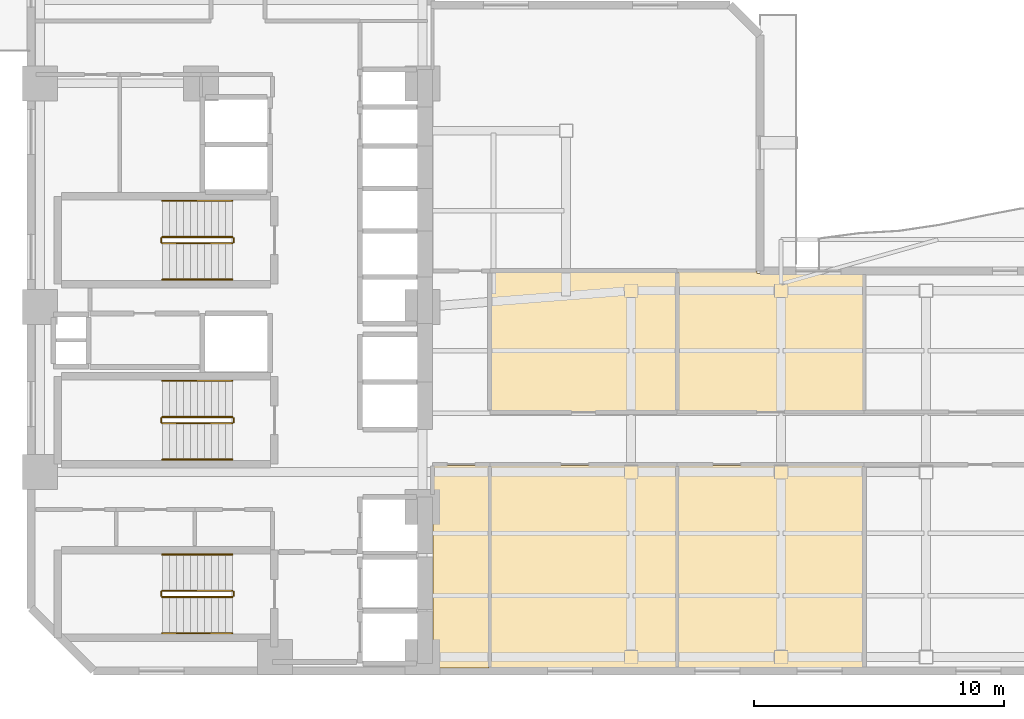
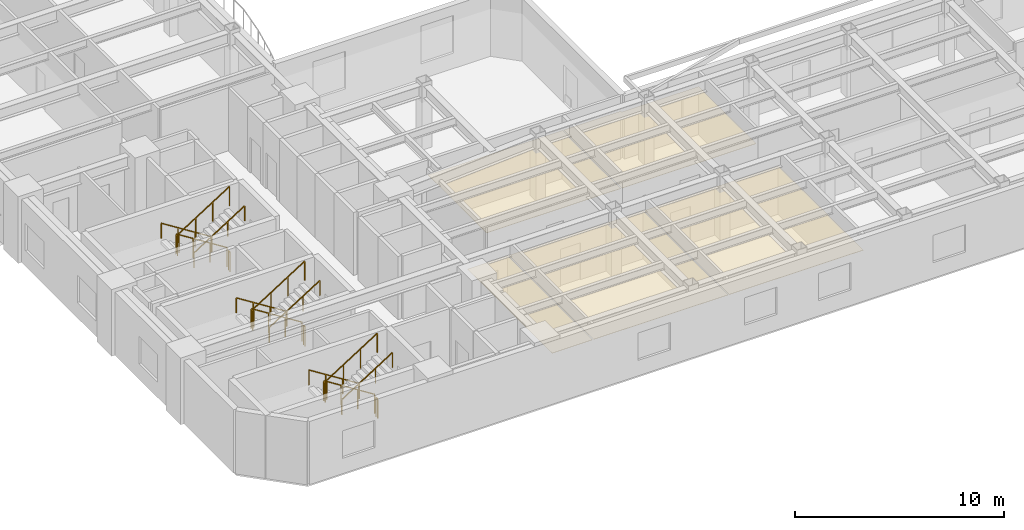
# One storey, part 8 of 10: 18 railings, 5 coverings.
"""IFC4 building model written with IfcOpenShell, lengths in metres."""

import ifcopenshell
import ifcopenshell.guid

model = None  # the IFC model being written
_history = None  # IfcOwnerHistory: only IFC2X3 demands one
_inside = {}  # id of a spatial element -> (the spatial element, [elements in it])
_under = {}  # id of a project, library or spatial element -> (it, [spatial elements below it])
_declared = {}  # id of a project -> (the project, [libraries it declares])
_typed = {}  # id of a type object -> (the type object, [elements of that type])
_made_of = {}  # id of a material, layer set ... -> (it, [elements and type objects made of it])


def new_model(schema):
    """Start an empty IFC model of exactly this schema.

    Asked for "IFC4X3", IfcOpenShell would pick the latest addendum, in which some entities
    have other attributes; the version numbers below select the first issue.
    IFC2X3 requires an IfcOwnerHistory on every rooted entity: one is made here for all.
    """
    global model, _history
    if schema == "IFC4X3":
        model = ifcopenshell.file(schema_version=(4, 3, 0, 0))
    else:
        model = ifcopenshell.file(schema=schema)
    _inside.clear()
    _under.clear()
    _declared.clear()
    _typed.clear()
    _made_of.clear()
    _history = None
    if model.schema == "IFC2X3":
        org = make("IfcOrganization", Name="unknown")
        user = make(
            "IfcPersonAndOrganization",
            ThePerson=make("IfcPerson", FamilyName="unknown"),
            TheOrganization=org,
        )
        app = make(
            "IfcApplication",
            ApplicationDeveloper=org,
            Version="unknown",
            ApplicationFullName="unknown",
            ApplicationIdentifier="unknown",
        )
        _history = make(
            "IfcOwnerHistory",
            OwningUser=user,
            OwningApplication=app,
            ChangeAction="ADDED",
            CreationDate=0,
        )
    return model


def make(cls, **values):
    """One entity of the class cls with the attributes given. An attribute that is None is left unset."""
    return model.create_entity(
        cls, **{name: value for name, value in values.items() if value is not None}
    )


def rooted(cls, **values):
    """An entity with a GlobalId (a new one), such as an element, a storey or a relation."""
    return make(cls, GlobalId=ifcopenshell.guid.new(), OwnerHistory=_history, **values)


def si_unit(unit_type, name, prefix=None):
    """IfcSIUnit, for example si_unit("LENGTHUNIT", "METRE", prefix="MILLI")."""
    return make("IfcSIUnit", UnitType=unit_type, Prefix=prefix, Name=name)


def assignment(units):
    """IfcUnitAssignment: the units of a project."""
    return None if units is None else make("IfcUnitAssignment", Units=units)


def point(xyz):
    """IfcCartesianPoint."""
    return None if xyz is None else make("IfcCartesianPoint", Coordinates=xyz)


def direction(xyz):
    """IfcDirection."""
    return None if xyz is None else make("IfcDirection", DirectionRatios=xyz)


def frame(location, z_axis=None, x_axis=None):
    """IfcAxis2Placement3D, a coordinate frame: its origin and axes. An axis left out is left unset."""
    return make(
        "IfcAxis2Placement3D",
        Location=point(location),
        Axis=direction(z_axis),
        RefDirection=direction(x_axis),
    )


def frame_2d(location, x_axis=None):
    """IfcAxis2Placement2D, a coordinate frame in the plane: its origin and x axis."""
    return make(
        "IfcAxis2Placement2D", Location=point(location), RefDirection=direction(x_axis)
    )


def origin():
    """The frame at (0, 0, 0) with its axes left unset."""
    return frame((0.0, 0.0, 0.0))


def origin_2d():
    """The frame at (0, 0) in the plane with its x axis left unset."""
    return frame_2d((0.0, 0.0))


def place(relative_to, where):
    """IfcLocalPlacement: puts the frame where relative to a parent placement (None: the world)."""
    return make(
        "IfcLocalPlacement", PlacementRelTo=relative_to, RelativePlacement=where
    )


def context(
    kind, dimensions, precision=None, world=None, true_north=None, identifier=None
):
    """IfcGeometricRepresentationContext, for example the 3D "Model" context."""
    return make(
        "IfcGeometricRepresentationContext",
        ContextIdentifier=identifier,
        ContextType=kind,
        CoordinateSpaceDimension=dimensions,
        Precision=precision,
        WorldCoordinateSystem=world,
        TrueNorth=true_north,
    )


def subcontext(parent, identifier, kind, view, scale=None):
    """IfcGeometricRepresentationSubContext, for example "Body" below "Model"."""
    return make(
        "IfcGeometricRepresentationSubContext",
        ContextIdentifier=identifier,
        ContextType=kind,
        ParentContext=parent,
        TargetScale=scale,
        TargetView=view,
    )


def project(units=None, contexts=None):
    """IfcProject with its units and contexts."""
    return rooted(
        "IfcProject",
        Name="project",
        RepresentationContexts=contexts,
        UnitsInContext=assignment(units),
    )


def spatial(cls, under=None, at=None, **own):
    """A site, building, storey or space (cls), placed at a placement, below another one or the project."""
    s = rooted(cls, ObjectPlacement=at, **own)
    if under is not None:
        _under.setdefault(under.id(), (under, []))[1].append(s)
    return s


def polyline(points):
    """IfcPolyline through the points."""
    return make("IfcPolyline", Points=[point(p) for p in points])


def profile(cls, at=None, kind="AREA", **sizes):
    """A parametric profile (cls). Its sizes go by their IFC names, for example OverallWidth=200.0."""
    return make(cls, ProfileType=kind, Position=at, **sizes)


def rectangle(**sizes):
    """IfcRectangleProfileDef."""
    return profile("IfcRectangleProfileDef", **sizes)


def outline(outer, holes=None, kind="AREA"):
    """IfcArbitraryClosedProfileDef: a profile drawn as a closed curve; with holes, ...WithVoids."""
    if holes is None:
        return make("IfcArbitraryClosedProfileDef", ProfileType=kind, OuterCurve=outer)
    return make(
        "IfcArbitraryProfileDefWithVoids",
        ProfileType=kind,
        OuterCurve=outer,
        InnerCurves=holes,
    )


def extrude(swept, where, along, depth):
    """IfcExtrudedAreaSolid: the profile swept, set in the frame where, extruded along a direction by depth."""
    return make(
        "IfcExtrudedAreaSolid",
        SweptArea=swept,
        Position=where,
        ExtrudedDirection=direction(along),
        Depth=depth,
    )


def shape(context_of_items, identifier, shape_type, items):
    """IfcShapeRepresentation: the items that make up one representation, for example the "Body"."""
    return make(
        "IfcShapeRepresentation",
        ContextOfItems=context_of_items,
        RepresentationIdentifier=identifier,
        RepresentationType=shape_type,
        Items=items,
    )


def material(Name=None, Category=None):
    """IfcMaterial."""
    return make("IfcMaterial", Name=Name, Category=Category)


def layer(
    of_material, thickness, ventilated=None, Name=None, Category=None, Priority=None
):
    """IfcMaterialLayer: one layer of a wall or slab, of a material (None: an air gap)."""
    return make(
        "IfcMaterialLayer",
        Material=of_material,
        LayerThickness=thickness,
        IsVentilated=ventilated,
        Name=Name,
        Category=Category,
        Priority=Priority,
    )


def layer_set(layers, Name=None):
    """IfcMaterialLayerSet."""
    return make("IfcMaterialLayerSet", MaterialLayers=layers, LayerSetName=Name)


def made_of(thing, what):
    """Note that an element or type object is made of a material, layer set ...; save() writes the relation."""
    if what is not None:
        _made_of.setdefault(what.id(), (what, []))[1].append(thing)
    return thing


def type_object(cls, material=None, **own):
    """A type object (cls), such as IfcWallType, which elements share."""
    return made_of(rooted(cls, **own), material)


def element(
    cls,
    number,
    at=None,
    inside=None,
    cuts=None,
    type_object=None,
    material=None,
    context=None,
    identifier="Body",
    shape_type=None,
    held_by="IfcProductDefinitionShape",
    body=None,
    shapes=None,
    **own,
):
    """One element of the class cls, such as IfcWall. Its Tag is "e" and its number.

    at: its placement. inside: the storey or other place that contains it. cuts: it is an
    opening in that element (IfcRelVoidsElement). A single representation is given by context,
    identifier, shape_type and body (its items); several are given by shapes. held_by: the class
    of the entity that holds the representations. save() writes the other relations.
    """
    e = rooted(cls, Tag="e%d" % number, ObjectPlacement=at, **own)
    if body is not None:
        shapes = [shape(context, identifier, shape_type, body)]
    if shapes is not None:
        e.Representation = make(held_by, Representations=shapes)
    if inside is not None:
        _inside.setdefault(inside.id(), (inside, []))[1].append(e)
    if cuts is not None:
        rooted(
            "IfcRelVoidsElement", RelatingBuildingElement=cuts, RelatedOpeningElement=e
        )
    if type_object is not None:
        _typed.setdefault(type_object.id(), (type_object, []))[1].append(e)
    return made_of(e, material)


def aggregate(whole, parts):
    """IfcRelAggregates: a whole, such as a stair, and the parts it consists of."""
    return rooted("IfcRelAggregates", RelatingObject=whole, RelatedObjects=parts)


def save(model, path):
    """Write the relations noted so far, then the file.

    IfcRelAggregates (storeys below a building ...), IfcRelContainedInSpatialStructure (elements
    in a storey), IfcRelDefinesByType, IfcRelAssociatesMaterial and IfcRelDeclares: one each for
    every whole, place, type object, material and project.
    """
    for whole, parts in _under.values():
        aggregate(whole, parts)
    for where, things in _inside.values():
        rooted(
            "IfcRelContainedInSpatialStructure",
            RelatedElements=things,
            RelatingStructure=where,
        )
    for kind, things in _typed.values():
        rooted("IfcRelDefinesByType", RelatedObjects=things, RelatingType=kind)
    for what, things in _made_of.values():
        rooted("IfcRelAssociatesMaterial", RelatedObjects=things, RelatingMaterial=what)
    for by, libraries in _declared.values():
        rooted("IfcRelDeclares", RelatingContext=by, RelatedDefinitions=libraries)
    model.write(path)


model = new_model("IFC4")

# Units and contexts
model_context = context("Model", 3, precision=1e-05, world=origin(), true_north=direction((0.0, 1.0)))
body_context = subcontext(model_context, "Body", "Model", "MODEL_VIEW")
ifc_project = project(units=[si_unit("LENGTHUNIT", "METRE"), si_unit("AREAUNIT", "SQUARE_METRE"), si_unit("VOLUMEUNIT", "CUBIC_METRE"), si_unit("PLANEANGLEUNIT", "RADIAN"), si_unit("MASSUNIT", "GRAM", prefix="KILO")], contexts=[model_context])

# Site, building, storey
site_placement = place(None, origin())
site = spatial("IfcSite", under=ifc_project, at=site_placement, CompositionType="ELEMENT")
building_placement = place(site_placement, origin())
building = spatial("IfcBuilding", under=site, at=building_placement, Name="Mawjaban Terraces University", CompositionType="ELEMENT")
storey_placement = place(building_placement, frame((0.0, 0.0, 62.199951171875)))
storey = spatial("IfcBuildingStorey", under=building, at=storey_placement, Name="L14", CompositionType="ELEMENT", Elevation=62.199951171875)

# Coverings
ifc_material_1 = material(Name="Acoustic mineral fibre ceiling tile", Category="masonry")
ifc_layer = layer(ifc_material_1, 0.02001953125)
ifc_layer_set = layer_set([ifc_layer], Name="Acoustic mineral fibre ceiling tile")
covering_type = type_object("IfcCoveringType", Name="AcousticMineralCeiling_20", PredefinedType="CEILING", material=ifc_layer_set)
covering_1_placement = place(storey_placement, frame((0.0, 0.0, 2.75)))
element("IfcCovering", 1, at=covering_1_placement, inside=storey, type_object=covering_type, Name="L14 Computational Laboratory 1 Acoustic Ceiling", PredefinedType="CEILING", context=body_context, shape_type="SweptSolid", body=[
    extrude(outline(polyline([(38.080078125, 0.114990234375), (40.320068359375, 0.114990234375), (40.320068359375, 8.219970703125), (38.080078125, 8.219970703125), (38.080078125, 0.114990234375)])), origin(), (0.0, 0.0, 1.0), 0.02001953125),
])
covering_2_placement = place(storey_placement, frame((0.0, 0.0, 2.75)))
element("IfcCovering", 2, at=covering_2_placement, inside=storey, type_object=covering_type, Name="L14 Teaching Laboratory 2 Acoustic Ceiling", PredefinedType="CEILING", context=body_context, shape_type="SweptSolid", body=[
    extrude(outline(polyline([(40.3798828125, 0.114990234375), (47.806884765625, 0.114990234375), (47.806884765625, 8.219970703125), (40.3798828125, 8.219970703125), (40.3798828125, 0.114990234375)])), origin(), (0.0, 0.0, 1.0), 0.02001953125),
])
covering_3_placement = place(storey_placement, frame((0.0, 0.0, 2.75)))
element("IfcCovering", 3, at=covering_3_placement, inside=storey, type_object=covering_type, Name="L14 Design Studio 3 Acoustic Ceiling", PredefinedType="CEILING", context=body_context, shape_type="SweptSolid", body=[
    extrude(outline(polyline([(47.806884765625, 10.3798828125), (47.806884765625, 15.969970703125), (40.3798828125, 15.969970703125), (40.3798828125, 10.3798828125), (47.806884765625, 10.3798828125)])), origin(), (0.0, 0.0, 1.0), 0.02001953125),
])
covering_4_placement = place(storey_placement, frame((0.0, 0.0, 2.75)))
element("IfcCovering", 4, at=covering_4_placement, inside=storey, type_object=covering_type, Name="L14 Computational Laboratory 4 Acoustic Ceiling", PredefinedType="CEILING", context=body_context, shape_type="SweptSolid", body=[
    extrude(outline(polyline([(47.866943359375, 0.114990234375), (55.29296875, 0.114990234375), (55.29296875, 8.219970703125), (47.866943359375, 8.219970703125), (47.866943359375, 0.114990234375)])), origin(), (0.0, 0.0, 1.0), 0.02001953125),
])
covering_5_placement = place(storey_placement, frame((0.0, 0.0, 2.75)))
element("IfcCovering", 5, at=covering_5_placement, inside=storey, type_object=covering_type, Name="L14 Teaching Laboratory 5 Acoustic Ceiling", PredefinedType="CEILING", context=body_context, shape_type="SweptSolid", body=[
    extrude(outline(polyline([(55.29296875, 15.885009765625), (51.034912109375, 15.885009765625), (51.034912109375, 15.969970703125), (47.866943359375, 15.969970703125), (47.866943359375, 10.3798828125), (55.29296875, 10.3798828125), (55.29296875, 15.885009765625)])), origin(), (0.0, 0.0, 1.0), 0.02001953125),
])

# Railings
ifc_material_2 = material(Name="Brushed stainless steel 316", Category="steel")
railing_type_1 = type_object("IfcRailingType", Name="StairWallHandrail_900", PredefinedType="HANDRAIL", material=ifc_material_2)
railing_1_placement = place(storey_placement, frame((30.050048828125, 4.64990234375, 0.17724609375)))
element("IfcRailing", 6, at=railing_1_placement, inside=storey, type_object=railing_type_1, Name="L14 ST-1 stair handrail 1", PredefinedType="HANDRAIL", context=body_context, shape_type="SweptSolid", body=[
    extrude(rectangle(XDim=0.048095703125, YDim=0.048095703125, at=origin_2d()), frame((0.0, 0.0, 0.8759765625), z_axis=(-0.844908973607, 0.0, 0.534910110503), x_axis=(0.0, -1.0, 0.0)), (0.0, 0.0, 1.0), 3.31396484375),
    extrude(rectangle(XDim=0.0419921875, YDim=0.0419921875, at=origin_2d()), origin(), (0.0, 0.0, 1.0), 0.851806640625),
    extrude(rectangle(XDim=0.0419921875, YDim=0.0419921875, at=origin_2d()), frame((-0.933349609375, 0.0, 0.5908203125)), (0.0, 0.0, 1.0), 0.851806640625),
    extrude(rectangle(XDim=0.0419921875, YDim=0.0419921875, at=origin_2d()), frame((-1.86669921875, 0.0, 1.181884765625)), (0.0, 0.0, 1.0), 0.851806640625),
    extrude(rectangle(XDim=0.0419921875, YDim=0.0419921875, at=origin_2d()), frame((-2.800048828125, 0.0, 1.772705078125)), (0.0, 0.0, 1.0), 0.851806640625),
])
railing_2_placement = place(storey_placement, frame((27.25, 1.5, 2.12744140625)))
element("IfcRailing", 7, at=railing_2_placement, inside=storey, type_object=railing_type_1, Name="L14 ST-1 stair handrail 2", PredefinedType="HANDRAIL", context=body_context, shape_type="SweptSolid", body=[
    extrude(rectangle(XDim=0.048095703125, YDim=0.048095703125, at=origin_2d()), frame((0.0, 0.0, 0.8759765625), z_axis=(0.844908973607, 0.0, 0.534910110503), x_axis=(0.0, 1.0, 0.0)), (0.0, 0.0, 1.0), 3.31396484375),
    extrude(rectangle(XDim=0.0419921875, YDim=0.0419921875, at=origin_2d()), origin(), (0.0, 0.0, 1.0), 0.851806640625),
    extrude(rectangle(XDim=0.0419921875, YDim=0.0419921875, at=origin_2d()), frame((0.933349609375, 0.0, 0.5908203125)), (0.0, 0.0, 1.0), 0.851806640625),
    extrude(rectangle(XDim=0.0419921875, YDim=0.0419921875, at=origin_2d()), frame((1.86669921875, 0.0, 1.181884765625)), (0.0, 0.0, 1.0), 0.851806640625),
    extrude(rectangle(XDim=0.0419921875, YDim=0.0419921875, at=origin_2d()), frame((2.800048828125, 0.0, 1.772705078125)), (0.0, 0.0, 1.0), 0.851806640625),
])
railing_3_placement = place(storey_placement, frame((30.050048828125, 18.800048828125, 0.17724609375)))
element("IfcRailing", 8, at=railing_3_placement, inside=storey, type_object=railing_type_1, Name="L14 ST-2 stair handrail 1", PredefinedType="HANDRAIL", context=body_context, shape_type="SweptSolid", body=[
    extrude(rectangle(XDim=0.048095703125, YDim=0.048095703125, at=origin_2d()), frame((0.0, 0.0, 0.8759765625), z_axis=(-0.844908973607, 0.0, 0.534910110503), x_axis=(0.0, -1.0, 0.0)), (0.0, 0.0, 1.0), 3.31396484375),
    extrude(rectangle(XDim=0.0419921875, YDim=0.0419921875, at=origin_2d()), origin(), (0.0, 0.0, 1.0), 0.851806640625),
    extrude(rectangle(XDim=0.0419921875, YDim=0.0419921875, at=origin_2d()), frame((-0.933349609375, 0.0, 0.5908203125)), (0.0, 0.0, 1.0), 0.851806640625),
    extrude(rectangle(XDim=0.0419921875, YDim=0.0419921875, at=origin_2d()), frame((-1.86669921875, 0.0, 1.181884765625)), (0.0, 0.0, 1.0), 0.851806640625),
    extrude(rectangle(XDim=0.0419921875, YDim=0.0419921875, at=origin_2d()), frame((-2.800048828125, 0.0, 1.772705078125)), (0.0, 0.0, 1.0), 0.851806640625),
])
railing_4_placement = place(storey_placement, frame((27.25, 15.64990234375, 2.12744140625)))
element("IfcRailing", 9, at=railing_4_placement, inside=storey, type_object=railing_type_1, Name="L14 ST-2 stair handrail 2", PredefinedType="HANDRAIL", context=body_context, shape_type="SweptSolid", body=[
    extrude(rectangle(XDim=0.048095703125, YDim=0.048095703125, at=origin_2d()), frame((0.0, 0.0, 0.8759765625), z_axis=(0.844908973607, 0.0, 0.534910110503), x_axis=(0.0, 1.0, 0.0)), (0.0, 0.0, 1.0), 3.31396484375),
    extrude(rectangle(XDim=0.0419921875, YDim=0.0419921875, at=origin_2d()), origin(), (0.0, 0.0, 1.0), 0.851806640625),
    extrude(rectangle(XDim=0.0419921875, YDim=0.0419921875, at=origin_2d()), frame((0.933349609375, 0.0, 0.5908203125)), (0.0, 0.0, 1.0), 0.851806640625),
    extrude(rectangle(XDim=0.0419921875, YDim=0.0419921875, at=origin_2d()), frame((1.86669921875, 0.0, 1.181884765625)), (0.0, 0.0, 1.0), 0.851806640625),
    extrude(rectangle(XDim=0.0419921875, YDim=0.0419921875, at=origin_2d()), frame((2.800048828125, 0.0, 1.772705078125)), (0.0, 0.0, 1.0), 0.851806640625),
])
railing_5_placement = place(storey_placement, frame((30.050048828125, 11.60009765625, 0.17724609375)))
element("IfcRailing", 10, at=railing_5_placement, inside=storey, type_object=railing_type_1, Name="L14 ST-3 stair handrail 1", PredefinedType="HANDRAIL", context=body_context, shape_type="SweptSolid", body=[
    extrude(rectangle(XDim=0.048095703125, YDim=0.048095703125, at=origin_2d()), frame((0.0, 0.0, 0.8759765625), z_axis=(-0.844908973607, 0.0, 0.534910110503), x_axis=(0.0, -1.0, 0.0)), (0.0, 0.0, 1.0), 3.31396484375),
    extrude(rectangle(XDim=0.0419921875, YDim=0.0419921875, at=origin_2d()), origin(), (0.0, 0.0, 1.0), 0.851806640625),
    extrude(rectangle(XDim=0.0419921875, YDim=0.0419921875, at=origin_2d()), frame((-0.933349609375, 0.0, 0.5908203125)), (0.0, 0.0, 1.0), 0.851806640625),
    extrude(rectangle(XDim=0.0419921875, YDim=0.0419921875, at=origin_2d()), frame((-1.86669921875, 0.0, 1.181884765625)), (0.0, 0.0, 1.0), 0.851806640625),
    extrude(rectangle(XDim=0.0419921875, YDim=0.0419921875, at=origin_2d()), frame((-2.800048828125, 0.0, 1.772705078125)), (0.0, 0.0, 1.0), 0.851806640625),
])
railing_6_placement = place(storey_placement, frame((27.25, 8.449951171875, 2.12744140625)))
element("IfcRailing", 11, at=railing_6_placement, inside=storey, type_object=railing_type_1, Name="L14 ST-3 stair handrail 2", PredefinedType="HANDRAIL", context=body_context, shape_type="SweptSolid", body=[
    extrude(rectangle(XDim=0.048095703125, YDim=0.048095703125, at=origin_2d()), frame((0.0, 0.0, 0.8759765625), z_axis=(0.844908973607, 0.0, 0.534910110503), x_axis=(0.0, 1.0, 0.0)), (0.0, 0.0, 1.0), 3.31396484375),
    extrude(rectangle(XDim=0.0419921875, YDim=0.0419921875, at=origin_2d()), origin(), (0.0, 0.0, 1.0), 0.851806640625),
    extrude(rectangle(XDim=0.0419921875, YDim=0.0419921875, at=origin_2d()), frame((0.933349609375, 0.0, 0.5908203125)), (0.0, 0.0, 1.0), 0.851806640625),
    extrude(rectangle(XDim=0.0419921875, YDim=0.0419921875, at=origin_2d()), frame((1.86669921875, 0.0, 1.181884765625)), (0.0, 0.0, 1.0), 0.851806640625),
    extrude(rectangle(XDim=0.0419921875, YDim=0.0419921875, at=origin_2d()), frame((2.800048828125, 0.0, 1.772705078125)), (0.0, 0.0, 1.0), 0.851806640625),
])
ifc_material_3 = material(Name="Galvanised painted steel S355", Category="steel")
railing_type_2 = type_object("IfcRailingType", Name="StairWellGuard_1150", PredefinedType="BALUSTRADE", material=ifc_material_3)
railing_7_placement = place(storey_placement, frame((30.050048828125, 3.199951171875, 0.17724609375)))
element("IfcRailing", 12, at=railing_7_placement, inside=storey, type_object=railing_type_2, Name="L14 ST-1 stair guard 1", PredefinedType="BALUSTRADE", context=body_context, shape_type="SweptSolid", body=[
    extrude(rectangle(XDim=0.048095703125, YDim=0.048095703125, at=origin_2d()), frame((0.0, 0.0, 1.1259765625), z_axis=(-0.844908973607, 0.0, 0.534910110503), x_axis=(0.0, -1.0, 0.0)), (0.0, 0.0, 1.0), 3.31396484375),
    extrude(rectangle(XDim=0.0419921875, YDim=0.0419921875, at=origin_2d()), origin(), (0.0, 0.0, 1.0), 1.101806640625),
    extrude(rectangle(XDim=0.0419921875, YDim=0.0419921875, at=origin_2d()), frame((-0.933349609375, 0.0, 0.5908203125)), (0.0, 0.0, 1.0), 1.101806640625),
    extrude(rectangle(XDim=0.0419921875, YDim=0.0419921875, at=origin_2d()), frame((-1.86669921875, 0.0, 1.181884765625)), (0.0, 0.0, 1.0), 1.101806640625),
    extrude(rectangle(XDim=0.0419921875, YDim=0.0419921875, at=origin_2d()), frame((-2.800048828125, 0.0, 1.772705078125)), (0.0, 0.0, 1.0), 1.101806640625),
])
railing_8_placement = place(storey_placement, frame((27.199951171875, 3.14990234375, 1.949951171875)))
element("IfcRailing", 13, at=railing_8_placement, inside=storey, type_object=railing_type_2, Name="L14 ST-1 stair guard 2", PredefinedType="BALUSTRADE", context=body_context, shape_type="SweptSolid", body=[
    extrude(rectangle(XDim=0.048095703125, YDim=0.048095703125, at=origin_2d()), frame((0.0, 0.0, 1.1259765625), z_axis=(0.0, -1.0, 0.0), x_axis=(1.0, 0.0, 0.0)), (0.0, 0.0, 1.0), 0.14990234375),
    extrude(rectangle(XDim=0.0419921875, YDim=0.0419921875, at=origin_2d()), origin(), (0.0, 0.0, 1.0), 1.101806640625),
    extrude(rectangle(XDim=0.0419921875, YDim=0.0419921875, at=origin_2d()), frame((0.0, -0.14990234375, 0.0)), (0.0, 0.0, 1.0), 1.101806640625),
])
railing_9_placement = place(storey_placement, frame((27.25, 2.949951171875, 2.12744140625)))
element("IfcRailing", 14, at=railing_9_placement, inside=storey, type_object=railing_type_2, Name="L14 ST-1 stair guard 3", PredefinedType="BALUSTRADE", context=body_context, shape_type="SweptSolid", body=[
    extrude(rectangle(XDim=0.048095703125, YDim=0.048095703125, at=origin_2d()), frame((0.0, 0.0, 1.1259765625), z_axis=(0.844908973607, 0.0, 0.534910110503), x_axis=(0.0, 1.0, 0.0)), (0.0, 0.0, 1.0), 3.31396484375),
    extrude(rectangle(XDim=0.0419921875, YDim=0.0419921875, at=origin_2d()), origin(), (0.0, 0.0, 1.0), 1.101806640625),
    extrude(rectangle(XDim=0.0419921875, YDim=0.0419921875, at=origin_2d()), frame((0.933349609375, 0.0, 0.5908203125)), (0.0, 0.0, 1.0), 1.101806640625),
    extrude(rectangle(XDim=0.0419921875, YDim=0.0419921875, at=origin_2d()), frame((1.86669921875, 0.0, 1.181884765625)), (0.0, 0.0, 1.0), 1.101806640625),
    extrude(rectangle(XDim=0.0419921875, YDim=0.0419921875, at=origin_2d()), frame((2.800048828125, 0.0, 1.772705078125)), (0.0, 0.0, 1.0), 1.101806640625),
])
railing_10_placement = place(storey_placement, frame((30.10009765625, 3.14990234375, 0.0)))
element("IfcRailing", 15, at=railing_10_placement, inside=storey, type_object=railing_type_2, Name="L14 ST-1 stair guard 4", PredefinedType="BALUSTRADE", context=body_context, shape_type="SweptSolid", body=[
    extrude(rectangle(XDim=0.048095703125, YDim=0.048095703125, at=origin_2d()), frame((0.0, 0.0, 1.1259765625), z_axis=(0.0, -1.0, 0.0), x_axis=(1.0, 0.0, 0.0)), (0.0, 0.0, 1.0), 0.14990234375),
    extrude(rectangle(XDim=0.0419921875, YDim=0.0419921875, at=origin_2d()), origin(), (0.0, 0.0, 1.0), 1.101806640625),
    extrude(rectangle(XDim=0.0419921875, YDim=0.0419921875, at=origin_2d()), frame((0.0, -0.14990234375, 0.0)), (0.0, 0.0, 1.0), 1.101806640625),
])
railing_11_placement = place(storey_placement, frame((30.050048828125, 17.35009765625, 0.17724609375)))
element("IfcRailing", 16, at=railing_11_placement, inside=storey, type_object=railing_type_2, Name="L14 ST-2 stair guard 1", PredefinedType="BALUSTRADE", context=body_context, shape_type="SweptSolid", body=[
    extrude(rectangle(XDim=0.048095703125, YDim=0.048095703125, at=origin_2d()), frame((0.0, 0.0, 1.1259765625), z_axis=(-0.844908973607, 0.0, 0.534910110503), x_axis=(0.0, -1.0, 0.0)), (0.0, 0.0, 1.0), 3.31396484375),
    extrude(rectangle(XDim=0.0419921875, YDim=0.0419921875, at=origin_2d()), origin(), (0.0, 0.0, 1.0), 1.101806640625),
    extrude(rectangle(XDim=0.0419921875, YDim=0.0419921875, at=origin_2d()), frame((-0.933349609375, 0.0, 0.5908203125)), (0.0, 0.0, 1.0), 1.101806640625),
    extrude(rectangle(XDim=0.0419921875, YDim=0.0419921875, at=origin_2d()), frame((-1.86669921875, 0.0, 1.181884765625)), (0.0, 0.0, 1.0), 1.101806640625),
    extrude(rectangle(XDim=0.0419921875, YDim=0.0419921875, at=origin_2d()), frame((-2.800048828125, 0.0, 1.772705078125)), (0.0, 0.0, 1.0), 1.101806640625),
])
railing_12_placement = place(storey_placement, frame((27.199951171875, 17.300048828125, 1.949951171875)))
element("IfcRailing", 17, at=railing_12_placement, inside=storey, type_object=railing_type_2, Name="L14 ST-2 stair guard 2", PredefinedType="BALUSTRADE", context=body_context, shape_type="SweptSolid", body=[
    extrude(rectangle(XDim=0.048095703125, YDim=0.048095703125, at=origin_2d()), frame((0.0, 0.0, 1.1259765625), z_axis=(0.0, -1.0, 0.0), x_axis=(1.0, 0.0, 0.0)), (0.0, 0.0, 1.0), 0.150146484375),
    extrude(rectangle(XDim=0.0419921875, YDim=0.0419921875, at=origin_2d()), origin(), (0.0, 0.0, 1.0), 1.101806640625),
    extrude(rectangle(XDim=0.0419921875, YDim=0.0419921875, at=origin_2d()), frame((0.0, -0.150146484375, 0.0)), (0.0, 0.0, 1.0), 1.101806640625),
])
railing_13_placement = place(storey_placement, frame((27.25, 17.10009765625, 2.12744140625)))
element("IfcRailing", 18, at=railing_13_placement, inside=storey, type_object=railing_type_2, Name="L14 ST-2 stair guard 3", PredefinedType="BALUSTRADE", context=body_context, shape_type="SweptSolid", body=[
    extrude(rectangle(XDim=0.048095703125, YDim=0.048095703125, at=origin_2d()), frame((0.0, 0.0, 1.1259765625), z_axis=(0.844908973607, 0.0, 0.534910110503), x_axis=(0.0, 1.0, 0.0)), (0.0, 0.0, 1.0), 3.31396484375),
    extrude(rectangle(XDim=0.0419921875, YDim=0.0419921875, at=origin_2d()), origin(), (0.0, 0.0, 1.0), 1.101806640625),
    extrude(rectangle(XDim=0.0419921875, YDim=0.0419921875, at=origin_2d()), frame((0.933349609375, 0.0, 0.5908203125)), (0.0, 0.0, 1.0), 1.101806640625),
    extrude(rectangle(XDim=0.0419921875, YDim=0.0419921875, at=origin_2d()), frame((1.86669921875, 0.0, 1.181884765625)), (0.0, 0.0, 1.0), 1.101806640625),
    extrude(rectangle(XDim=0.0419921875, YDim=0.0419921875, at=origin_2d()), frame((2.800048828125, 0.0, 1.772705078125)), (0.0, 0.0, 1.0), 1.101806640625),
])
railing_14_placement = place(storey_placement, frame((30.10009765625, 17.300048828125, 0.0)))
element("IfcRailing", 19, at=railing_14_placement, inside=storey, type_object=railing_type_2, Name="L14 ST-2 stair guard 4", PredefinedType="BALUSTRADE", context=body_context, shape_type="SweptSolid", body=[
    extrude(rectangle(XDim=0.048095703125, YDim=0.048095703125, at=origin_2d()), frame((0.0, 0.0, 1.1259765625), z_axis=(0.0, -1.0, 0.0), x_axis=(1.0, 0.0, 0.0)), (0.0, 0.0, 1.0), 0.150146484375),
    extrude(rectangle(XDim=0.0419921875, YDim=0.0419921875, at=origin_2d()), origin(), (0.0, 0.0, 1.0), 1.101806640625),
    extrude(rectangle(XDim=0.0419921875, YDim=0.0419921875, at=origin_2d()), frame((0.0, -0.150146484375, 0.0)), (0.0, 0.0, 1.0), 1.101806640625),
])
railing_15_placement = place(storey_placement, frame((30.050048828125, 10.14990234375, 0.17724609375)))
element("IfcRailing", 20, at=railing_15_placement, inside=storey, type_object=railing_type_2, Name="L14 ST-3 stair guard 1", PredefinedType="BALUSTRADE", context=body_context, shape_type="SweptSolid", body=[
    extrude(rectangle(XDim=0.048095703125, YDim=0.048095703125, at=origin_2d()), frame((0.0, 0.0, 1.1259765625), z_axis=(-0.844908973607, 0.0, 0.534910110503), x_axis=(0.0, -1.0, 0.0)), (0.0, 0.0, 1.0), 3.31396484375),
    extrude(rectangle(XDim=0.0419921875, YDim=0.0419921875, at=origin_2d()), origin(), (0.0, 0.0, 1.0), 1.101806640625),
    extrude(rectangle(XDim=0.0419921875, YDim=0.0419921875, at=origin_2d()), frame((-0.933349609375, 0.0, 0.5908203125)), (0.0, 0.0, 1.0), 1.101806640625),
    extrude(rectangle(XDim=0.0419921875, YDim=0.0419921875, at=origin_2d()), frame((-1.86669921875, 0.0, 1.181884765625)), (0.0, 0.0, 1.0), 1.101806640625),
    extrude(rectangle(XDim=0.0419921875, YDim=0.0419921875, at=origin_2d()), frame((-2.800048828125, 0.0, 1.772705078125)), (0.0, 0.0, 1.0), 1.101806640625),
])
railing_16_placement = place(storey_placement, frame((27.199951171875, 10.10009765625, 1.949951171875)))
element("IfcRailing", 21, at=railing_16_placement, inside=storey, type_object=railing_type_2, Name="L14 ST-3 stair guard 2", PredefinedType="BALUSTRADE", context=body_context, shape_type="SweptSolid", body=[
    extrude(rectangle(XDim=0.048095703125, YDim=0.048095703125, at=origin_2d()), frame((0.0, 0.0, 1.1259765625), z_axis=(0.0, -1.0, 0.0), x_axis=(1.0, 0.0, 0.0)), (0.0, 0.0, 1.0), 0.150146484375),
    extrude(rectangle(XDim=0.0419921875, YDim=0.0419921875, at=origin_2d()), origin(), (0.0, 0.0, 1.0), 1.101806640625),
    extrude(rectangle(XDim=0.0419921875, YDim=0.0419921875, at=origin_2d()), frame((0.0, -0.150146484375, 0.0)), (0.0, 0.0, 1.0), 1.101806640625),
])
railing_17_placement = place(storey_placement, frame((27.25, 9.89990234375, 2.12744140625)))
element("IfcRailing", 22, at=railing_17_placement, inside=storey, type_object=railing_type_2, Name="L14 ST-3 stair guard 3", PredefinedType="BALUSTRADE", context=body_context, shape_type="SweptSolid", body=[
    extrude(rectangle(XDim=0.048095703125, YDim=0.048095703125, at=origin_2d()), frame((0.0, 0.0, 1.1259765625), z_axis=(0.844908973607, 0.0, 0.534910110503), x_axis=(0.0, 1.0, 0.0)), (0.0, 0.0, 1.0), 3.31396484375),
    extrude(rectangle(XDim=0.0419921875, YDim=0.0419921875, at=origin_2d()), origin(), (0.0, 0.0, 1.0), 1.101806640625),
    extrude(rectangle(XDim=0.0419921875, YDim=0.0419921875, at=origin_2d()), frame((0.933349609375, 0.0, 0.5908203125)), (0.0, 0.0, 1.0), 1.101806640625),
    extrude(rectangle(XDim=0.0419921875, YDim=0.0419921875, at=origin_2d()), frame((1.86669921875, 0.0, 1.181884765625)), (0.0, 0.0, 1.0), 1.101806640625),
    extrude(rectangle(XDim=0.0419921875, YDim=0.0419921875, at=origin_2d()), frame((2.800048828125, 0.0, 1.772705078125)), (0.0, 0.0, 1.0), 1.101806640625),
])
railing_18_placement = place(storey_placement, frame((30.10009765625, 10.10009765625, 0.0)))
element("IfcRailing", 23, at=railing_18_placement, inside=storey, type_object=railing_type_2, Name="L14 ST-3 stair guard 4", PredefinedType="BALUSTRADE", context=body_context, shape_type="SweptSolid", body=[
    extrude(rectangle(XDim=0.048095703125, YDim=0.048095703125, at=origin_2d()), frame((0.0, 0.0, 1.1259765625), z_axis=(0.0, -1.0, 0.0), x_axis=(1.0, 0.0, 0.0)), (0.0, 0.0, 1.0), 0.150146484375),
    extrude(rectangle(XDim=0.0419921875, YDim=0.0419921875, at=origin_2d()), origin(), (0.0, 0.0, 1.0), 1.101806640625),
    extrude(rectangle(XDim=0.0419921875, YDim=0.0419921875, at=origin_2d()), frame((0.0, -0.150146484375, 0.0)), (0.0, 0.0, 1.0), 1.101806640625),
])

save(model, "model.ifc")
